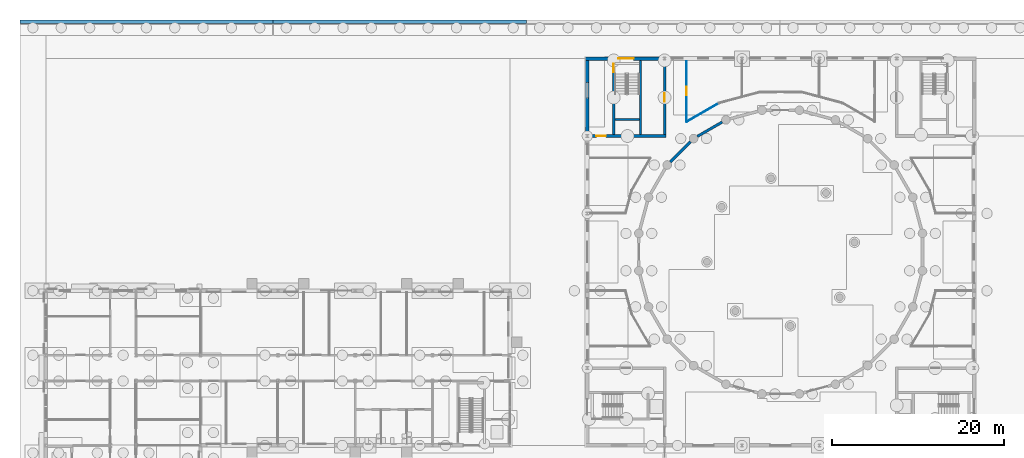
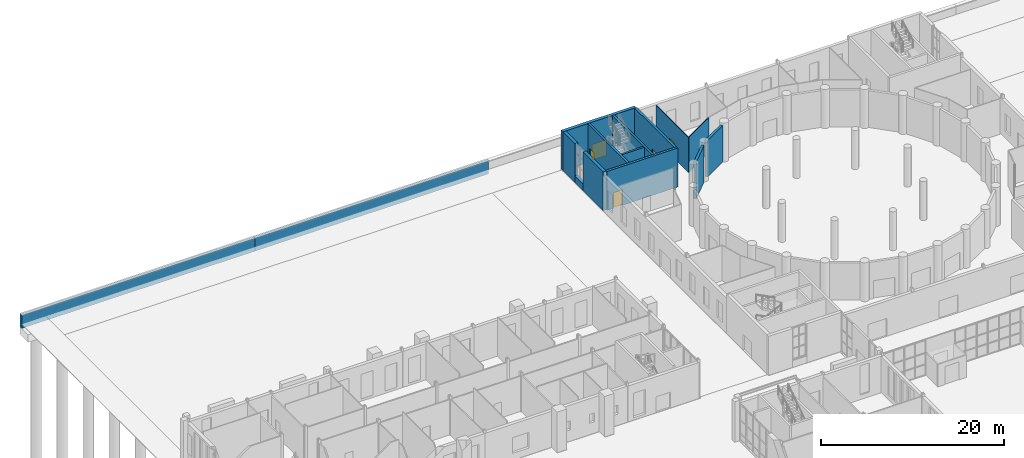
# One storey, part 108 of 168: 15 walls, 5 doors, 5 openings.
"""IFC4 building model written with IfcOpenShell, lengths in metres."""

from ifc_helpers import new_model, si_unit, direction, frame, frame_2d, origin, place, context, subcontext, project, spatial, rectangle, extrude, material, layer, layer_set, type_object, element, fill, save


model = new_model("IFC4")

# Units and contexts
model_context = context("Model", 3, precision=1e-05, world=origin(), true_north=direction((0.0, 1.0)))
body_context = subcontext(model_context, "Body", "Model", "MODEL_VIEW")
ifc_project = project(units=[si_unit("LENGTHUNIT", "METRE"), si_unit("AREAUNIT", "SQUARE_METRE"), si_unit("VOLUMEUNIT", "CUBIC_METRE"), si_unit("PLANEANGLEUNIT", "RADIAN"), si_unit("MASSUNIT", "GRAM", prefix="KILO")], contexts=[model_context])

# Site, building, storey
site_placement = place(None, origin())
site = spatial("IfcSite", under=ifc_project, at=site_placement, CompositionType="ELEMENT")
building_placement = place(site_placement, origin())
building = spatial("IfcBuilding", under=site, at=building_placement, Name="Golden Quay Civic Hall", CompositionType="ELEMENT")
storey_placement = place(building_placement, origin())
storey = spatial("IfcBuildingStorey", under=building, at=storey_placement, Name="L00", CompositionType="ELEMENT", Elevation=0.0)

# Walls
ifc_material_1 = material(Name="Concrete C40/50", Category="concrete")
ifc_layer_1 = layer(ifc_material_1, 0.39990234375)
ifc_layer_set_1 = layer_set([ifc_layer_1], Name="Boundary wall 400")
wall_type_1 = type_object("IfcWallType", Name="Boundary wall 400", PredefinedType="STANDARD", material=ifc_layer_set_1)
wall_1_placement = place(storey_placement, frame((-3.0, 112.300048828125, -0.60009765625), z_axis=(0.0, 0.0, 1.0), x_axis=(1.0, 0.0, 0.0)))
element("IfcWall", 1, at=wall_1_placement, inside=storey, type_object=wall_type_1, Name="Boundary wall run N1", PredefinedType="STANDARD", context=body_context, shape_type="SweptSolid", body=[
    extrude(rectangle(XDim=29.43994140625, YDim=0.39990234375, at=frame_2d((14.719970703125, 0.0))), origin(), (0.0, 0.0, 1.0), 1.7001953125),
])
wall_2_placement = place(storey_placement, frame((26.43994140625, 112.300048828125, -0.60009765625), z_axis=(0.0, 0.0, 1.0), x_axis=(1.0, 0.0, 0.0)))
element("IfcWall", 2, at=wall_2_placement, inside=storey, type_object=wall_type_1, Name="Boundary wall run N2", PredefinedType="STANDARD", context=body_context, shape_type="SweptSolid", body=[
    extrude(rectangle(XDim=29.47998046875, YDim=0.39990234375, at=frame_2d((14.739990234375, 0.0))), origin(), (0.0, 0.0, 1.0), 1.7001953125),
])

# Wall, opening, door
ifc_material_2 = material(Name="Gypsum board on steel stud", Category="steel")
ifc_layer_2 = layer(ifc_material_2, 0.10009765625)
ifc_layer_set_2 = layer_set([ifc_layer_2], Name="Partition 100 stud fire EI 60")
wall_type_2 = type_object("IfcWallType", Name="Partition 100 stud fire EI 60", PredefinedType="PARTITIONING", material=ifc_layer_set_2)
wall_3_placement = place(storey_placement, frame((74.550048828125, 107.679931640625, 0.0), z_axis=(0.0, 0.0, 1.0), x_axis=(0.0, -1.0, 0.0)))
wall_3 = element("IfcWall", 3, at=wall_3_placement, inside=storey, type_object=wall_type_2, Name="Partition 10", PredefinedType="PARTITIONING", context=body_context, shape_type="SweptSolid", body=[
    extrude(rectangle(XDim=7.0244140625, YDim=0.10009765625, at=frame_2d((3.51220703125, 0.0))), origin(), (0.0, 0.0, 1.0), 4.7099609375),
])
opening_1_placement = place(wall_3_placement, frame((2.952392578125, 0.0, 0.0)))
opening_1 = element("IfcOpeningElement", 4, at=opening_1_placement, cuts=wall_3, Name="Opening L00-D196", PredefinedType="OPENING", context=body_context, shape_type="SweptSolid", body=[
    extrude(rectangle(XDim=1.0, YDim=2.10009765625, at=frame_2d((0.5, 1.050048828125))), frame((0.0, 0.06005859375, 0.0), z_axis=(0.0, -1.0, 0.0), x_axis=(1.0, 0.0, 0.0)), (0.0, 0.0, 1.0), 0.1201171875),
])
ifc_material_3 = material(Name="Timber", Category="wood")
door_type_1 = type_object("IfcDoorType", Name="Timber fire door FD30S 1000 x 2100", OperationType="SINGLE_SWING_LEFT", PredefinedType="DOOR", material=ifc_material_3)
door_1_placement = place(opening_1_placement, origin())
door_1 = element("IfcDoor", 5, at=door_1_placement, inside=storey, type_object=door_type_1, Name="Door Fire Control Room", OperationType="SINGLE_SWING_LEFT", OverallHeight=2.10009765625, OverallWidth=1.0, PredefinedType="DOOR", context=body_context, shape_type="SweptSolid", body=[
    extrude(rectangle(XDim=1.0, YDim=2.10009765625, at=frame_2d((0.5, 1.050048828125))), frame((0.0, 0.02490234375, 0.0), z_axis=(0.0, -1.0, 0.0), x_axis=(1.0, 0.0, 0.0)), (0.0, 0.0, 1.0), 0.050048828125),
])
fill(opening_1, door_1)

# Wall
wall_4_placement = place(storey_placement, frame((74.550048828125, 100.655517578125, 0.0), z_axis=(0.0, 0.0, 1.0), x_axis=(0.866029650479, 0.499992644437, 0.0)))
element("IfcWall", 6, at=wall_4_placement, inside=storey, type_object=wall_type_2, Name="Partition 11", PredefinedType="PARTITIONING", context=body_context, shape_type="SweptSolid", body=[
    extrude(rectangle(XDim=4.35400390625, YDim=0.10009765625, at=frame_2d((2.177001953125, 0.0))), origin(), (0.0, 0.0, 1.0), 4.7099609375),
])

# Wall, opening, door
ifc_material_4 = material(Name="Concrete C40/50", Category="concrete")
ifc_layer_3 = layer(ifc_material_4, 0.300048828125)
ifc_layer_set_3 = layer_set([ifc_layer_3], Name="Reinforced concrete core wall 300, Concrete C40/50")
wall_type_3 = type_object("IfcWallType", Name="Reinforced concrete core wall 300", PredefinedType="SHEAR", material=ifc_layer_set_3)
wall_5_placement = place(storey_placement, frame((63.199951171875, 99.0, 0.0), z_axis=(0.0, 0.0, 1.0), x_axis=(1.0, 0.0, 0.0)))
wall_5 = element("IfcWall", 7, at=wall_5_placement, inside=storey, type_object=wall_type_3, Name="Core wall NW A", PredefinedType="SHEAR", context=body_context, shape_type="SweptSolid", body=[
    extrude(rectangle(XDim=8.949951171875, YDim=0.300048828125, at=frame_2d((4.47509765625, 0.0))), origin(), (0.0, 0.0, 1.0), 5.199951171875),
])
opening_2_placement = place(wall_5_placement, frame((0.85009765625, 0.0, 0.0)))
opening_2 = element("IfcOpeningElement", 8, at=opening_2_placement, cuts=wall_5, Name="Opening L00-D184", PredefinedType="OPENING", context=body_context, shape_type="SweptSolid", body=[
    extrude(rectangle(XDim=1.10009765625, YDim=2.10009765625, at=frame_2d((0.550048828125, 1.050048828125))), frame((0.0, 0.159912109375, 0.0), z_axis=(0.0, -1.0, 0.0), x_axis=(1.0, 0.0, 0.0)), (0.0, 0.0, 1.0), 0.320068359375),
])
ifc_material_5 = material(Name="Steel", Category="steel")
door_type_2 = type_object("IfcDoorType", Name="Steel fire door FD60 1100 x 2100", OperationType="SINGLE_SWING_LEFT", PredefinedType="DOOR", material=ifc_material_5)
door_2_placement = place(opening_2_placement, frame((1.10009765625, 0.0, 0.0), z_axis=(0.0, 0.0, 1.0), x_axis=(-1.0, 0.0, 0.0)))
door_2 = element("IfcDoor", 9, at=door_2_placement, inside=storey, type_object=door_type_2, Name="Core lobby door NW", OperationType="SINGLE_SWING_RIGHT", OverallHeight=2.10009765625, OverallWidth=1.10009765625, PredefinedType="DOOR", context=body_context, shape_type="SweptSolid", body=[
    extrude(rectangle(XDim=1.10009765625, YDim=2.10009765625, at=frame_2d((0.550048828125, 1.050048828125))), frame((0.0, 0.025146484375, 0.0), z_axis=(0.0, -1.0, 0.0), x_axis=(1.0, 0.0, 0.0)), (0.0, 0.0, 1.0), 0.050048828125),
])
fill(opening_2, door_2)

wall_6_placement = place(storey_placement, frame((72.0, 107.800048828125, 0.0), z_axis=(0.0, 0.0, 1.0), x_axis=(0.0, -1.0, 0.0)))
wall_6 = element("IfcWall", 10, at=wall_6_placement, inside=storey, type_object=wall_type_3, Name="Core wall NW B", PredefinedType="SHEAR", context=body_context, shape_type="SweptSolid", body=[
    extrude(rectangle(XDim=8.650146484375, YDim=0.300048828125, at=frame_2d((4.3251953125, 0.0))), origin(), (0.0, 0.0, 1.0), 5.199951171875),
])
opening_3_placement = place(wall_6_placement, frame((3.800048828125, 0.0, 0.0)))
opening_3 = element("IfcOpeningElement", 11, at=opening_3_placement, cuts=wall_6, Name="Opening L00-D185", PredefinedType="OPENING", context=body_context, shape_type="SweptSolid", body=[
    extrude(rectangle(XDim=1.0, YDim=2.10009765625, at=frame_2d((0.5, 1.050048828125))), frame((0.0, 0.159912109375, 0.0), z_axis=(0.0, -1.0, 0.0), x_axis=(1.0, 0.0, 0.0)), (0.0, 0.0, 1.0), 0.320068359375),
])
ifc_material_6 = material(Name="Steel", Category="steel")
door_type_3 = type_object("IfcDoorType", Name="Steel fire door FD60 1000 x 2100", OperationType="SINGLE_SWING_LEFT", PredefinedType="DOOR", material=ifc_material_6)
door_3_placement = place(opening_3_placement, frame((1.0, 0.0, 0.0), z_axis=(0.0, 0.0, 1.0), x_axis=(-1.0, 0.0, 0.0)))
door_3 = element("IfcDoor", 12, at=door_3_placement, inside=storey, type_object=door_type_3, Name="Service door NW", OperationType="SINGLE_SWING_RIGHT", OverallHeight=2.10009765625, OverallWidth=1.0, PredefinedType="DOOR", context=body_context, shape_type="SweptSolid", body=[
    extrude(rectangle(XDim=1.0, YDim=2.10009765625, at=frame_2d((0.5, 1.050048828125))), frame((0.0, 0.025146484375, 0.0), z_axis=(0.0, -1.0, 0.0), x_axis=(1.0, 0.0, 0.0)), (0.0, 0.0, 1.0), 0.050048828125),
])
fill(opening_3, door_3)

ifc_material_7 = material(Name="Concrete C40/50", Category="concrete")
ifc_layer_4 = layer(ifc_material_7, 0.25)
ifc_layer_set_4 = layer_set([ifc_layer_4], Name="Reinforced concrete shaft wall 250, Concrete C40/50")
wall_type_4 = type_object("IfcWallType", Name="Reinforced concrete shaft wall 250", PredefinedType="SHEAR", material=ifc_layer_set_4)
wall_7_placement = place(storey_placement, frame((66.074951171875, 107.800048828125, 0.0), z_axis=(0.0, 0.0, 1.0), x_axis=(0.0, -1.0, 0.0)))
wall_7 = element("IfcWall", 13, at=wall_7_placement, inside=storey, type_object=wall_type_4, Name="Shaft wall NW 1", PredefinedType="SHEAR", context=body_context, shape_type="SweptSolid", body=[
    extrude(rectangle(XDim=8.650146484375, YDim=0.25, at=frame_2d((4.3251953125, 0.0))), origin(), (0.0, 0.0, 1.0), 5.199951171875),
])
opening_4_placement = place(wall_7_placement, frame((0.39990234375, 0.0, 0.0)))
opening_4 = element("IfcOpeningElement", 14, at=opening_4_placement, cuts=wall_7, Name="Opening L00-D183", PredefinedType="OPENING", context=body_context, shape_type="SweptSolid", body=[
    extrude(rectangle(XDim=1.0, YDim=2.10009765625, at=frame_2d((0.5, 1.050048828125))), frame((0.0, 0.135009765625, 0.0), z_axis=(0.0, -1.0, 0.0), x_axis=(1.0, 0.0, 0.0)), (0.0, 0.0, 1.0), 0.27001953125),
])
door_4_placement = place(opening_4_placement, origin())
door_4 = element("IfcDoor", 15, at=door_4_placement, inside=storey, type_object=door_type_2, Name="Stair door NW", OperationType="SINGLE_SWING_LEFT", OverallHeight=2.10009765625, OverallWidth=1.0, PredefinedType="DOOR", context=body_context, shape_type="SweptSolid", body=[
    extrude(rectangle(XDim=1.0, YDim=2.10009765625, at=frame_2d((0.5, 1.050048828125))), frame((0.0, 0.02490234375, 0.0), z_axis=(0.0, -1.0, 0.0), x_axis=(1.0, 0.0, 0.0)), (0.0, 0.0, 1.0), 0.050048828125),
])
fill(opening_4, door_4)

# Walls
wall_8_placement = place(storey_placement, frame((69.175048828125, 107.800048828125, 0.0), z_axis=(0.0, 0.0, 1.0), x_axis=(0.0, -1.0, 0.0)))
element("IfcWall", 16, at=wall_8_placement, inside=storey, type_object=wall_type_4, Name="Shaft wall NW 2", PredefinedType="SHEAR", context=body_context, shape_type="SweptSolid", body=[
    extrude(rectangle(XDim=8.650146484375, YDim=0.25, at=frame_2d((4.3251953125, 0.0))), origin(), (0.0, 0.0, 1.0), 5.199951171875),
])
wall_9_placement = place(storey_placement, frame((66.199951171875, 100.925048828125, 0.0), z_axis=(0.0, 0.0, 1.0), x_axis=(1.0, 0.0, 0.0)))
element("IfcWall", 17, at=wall_9_placement, inside=storey, type_object=wall_type_4, Name="Shaft wall NW 3", PredefinedType="SHEAR", context=body_context, shape_type="SweptSolid", body=[
    extrude(rectangle(XDim=2.85009765625, YDim=0.25, at=frame_2d((1.425048828125, 0.0))), origin(), (0.0, 0.0, 1.0), 5.199951171875),
])

# Wall, opening, door
ifc_material_8 = material(Name="Brick masonry with render", Category="masonry")
ifc_layer_5 = layer(ifc_material_8, 0.39990234375)
ifc_layer_set_5 = layer_set([ifc_layer_5], Name="Rendered brick external wall 400 fire EI 120")
wall_type_5 = type_object("IfcWallType", Name="Rendered brick external wall 400 fire EI 120", PredefinedType="STANDARD", material=ifc_layer_set_5)
wall_10_placement = place(storey_placement, frame((62.800048828125, 108.0, 0.0), z_axis=(0.0, 0.0, 1.0), x_axis=(1.0, 0.0, 0.0)))
wall_10 = element("IfcWall", 18, at=wall_10_placement, inside=storey, type_object=wall_type_5, Name="Base wall N 62", PredefinedType="STANDARD", context=body_context, shape_type="SweptSolid", body=[
    extrude(rectangle(XDim=9.199951171875, YDim=0.39990234375, at=frame_2d((4.60009765625, 0.0))), origin(), (0.0, 0.0, 1.0), 5.199951171875),
])
opening_5_placement = place(wall_10_placement, frame((3.800048828125, 0.0, 0.0)))
opening_5 = element("IfcOpeningElement", 19, at=opening_5_placement, cuts=wall_10, Name="Opening L00-D036", PredefinedType="OPENING", context=body_context, shape_type="SweptSolid", body=[
    extrude(rectangle(XDim=1.800048828125, YDim=2.10009765625, at=frame_2d((0.89990234375, 1.050048828125))), frame((0.0, 0.2099609375, 0.0), z_axis=(0.0, -1.0, 0.0), x_axis=(1.0, 0.0, 0.0)), (0.0, 0.0, 1.0), 0.419921875),
])
ifc_material_9 = material(Name="Steel", Category="steel")
door_type_4 = type_object("IfcDoorType", Name="Steel double exit door FD60 1800 x 2100", OperationType="DOUBLE_DOOR_SINGLE_SWING", PredefinedType="DOOR", material=ifc_material_9)
door_5_placement = place(opening_5_placement, origin())
door_5 = element("IfcDoor", 20, at=door_5_placement, inside=storey, type_object=door_type_4, Name="Stair exit door", OperationType="DOUBLE_DOOR_SINGLE_SWING", OverallHeight=2.10009765625, OverallWidth=1.800048828125, PredefinedType="DOOR", context=body_context, shape_type="SweptSolid", body=[
    extrude(rectangle(XDim=1.800048828125, YDim=2.10009765625, at=frame_2d((0.89990234375, 1.050048828125))), frame((0.0, 0.02490234375, 0.0), z_axis=(0.0, -1.0, 0.0), x_axis=(1.0, 0.0, 0.0)), (0.0, 0.0, 1.0), 0.050048828125),
])
fill(opening_5, door_5)

# Walls
wall_11_placement = place(storey_placement, frame((63.0, 99.0, 0.0), z_axis=(0.0, 0.0, 1.0), x_axis=(0.0, 1.0, 0.0)))
element("IfcWall", 21, at=wall_11_placement, inside=storey, type_object=wall_type_5, Name="Base wall W 99", PredefinedType="STANDARD", context=body_context, shape_type="SweptSolid", body=[
    extrude(rectangle(XDim=4.39990234375, YDim=0.39990234375, at=frame_2d((2.199951171875, 0.0))), origin(), (0.0, 0.0, 1.0), 5.199951171875),
])
wall_12_placement = place(storey_placement, frame((63.0, 105.199951171875, 0.0), z_axis=(0.0, 0.0, 1.0), x_axis=(0.0, 1.0, 0.0)))
element("IfcWall", 22, at=wall_12_placement, inside=storey, type_object=wall_type_5, Name="Base wall W 99 (beyond the bay)", PredefinedType="STANDARD", context=body_context, shape_type="SweptSolid", body=[
    extrude(rectangle(XDim=2.60009765625, YDim=0.39990234375, at=frame_2d((1.300048828125, 0.0))), origin(), (0.0, 0.0, 1.0), 5.199951171875),
])
wall_13_placement = place(storey_placement, frame((63.0, 103.39990234375, 0.0), z_axis=(0.0, 0.0, 1.0), x_axis=(0.0, 1.0, 0.0)))
element("IfcWall", 23, at=wall_13_placement, inside=storey, type_object=wall_type_5, Name="Base wall W 99 sill", PredefinedType="STANDARD", context=body_context, shape_type="SweptSolid", body=[
    extrude(rectangle(XDim=1.800048828125, YDim=0.39990234375, at=frame_2d((0.89990234375, 0.0))), origin(), (0.0, 0.0, 1.0), 0.89990234375),
])
ifc_material_10 = material(Name="Concrete C30/37", Category="concrete")
ifc_layer_6 = layer(ifc_material_10, 0.300048828125)
ifc_layer_set_6 = layer_set([ifc_layer_6], Name="Rotunda enclosure wall 300")
wall_type_6 = type_object("IfcWallType", Name="Rotunda enclosure wall 300", PredefinedType="PARTITIONING", material=ifc_layer_set_6)
wall_14_placement = place(storey_placement, frame((78.6982421875, 100.62548828125, 0.0), z_axis=(0.0, 0.0, 1.0), x_axis=(-0.866047010698, -0.49996257386, 0.0)))
element("IfcWall", 24, at=wall_14_placement, inside=storey, type_object=wall_type_6, Name="Rotunda wall 8", PredefinedType="PARTITIONING", context=body_context, shape_type="SweptSolid", body=[
    extrude(rectangle(XDim=3.344482421875, YDim=0.300048828125, at=frame_2d((1.67236328125, 0.0))), origin(), (0.0, 0.0, 1.0), 4.909912109375),
])
wall_15_placement = place(storey_placement, frame((75.01513671875, 98.349609375, 0.0), z_axis=(0.0, 0.0, 1.0), x_axis=(-0.707106781187, -0.707106781187, 0.0)))
element("IfcWall", 25, at=wall_15_placement, inside=storey, type_object=wall_type_6, Name="Rotunda wall 9", PredefinedType="PARTITIONING", context=body_context, shape_type="SweptSolid", body=[
    extrude(rectangle(XDim=3.34423828125, YDim=0.300048828125, at=frame_2d((1.672119140625, 0.0))), origin(), (0.0, 0.0, 1.0), 4.909912109375),
])

save(model, "model.ifc")
